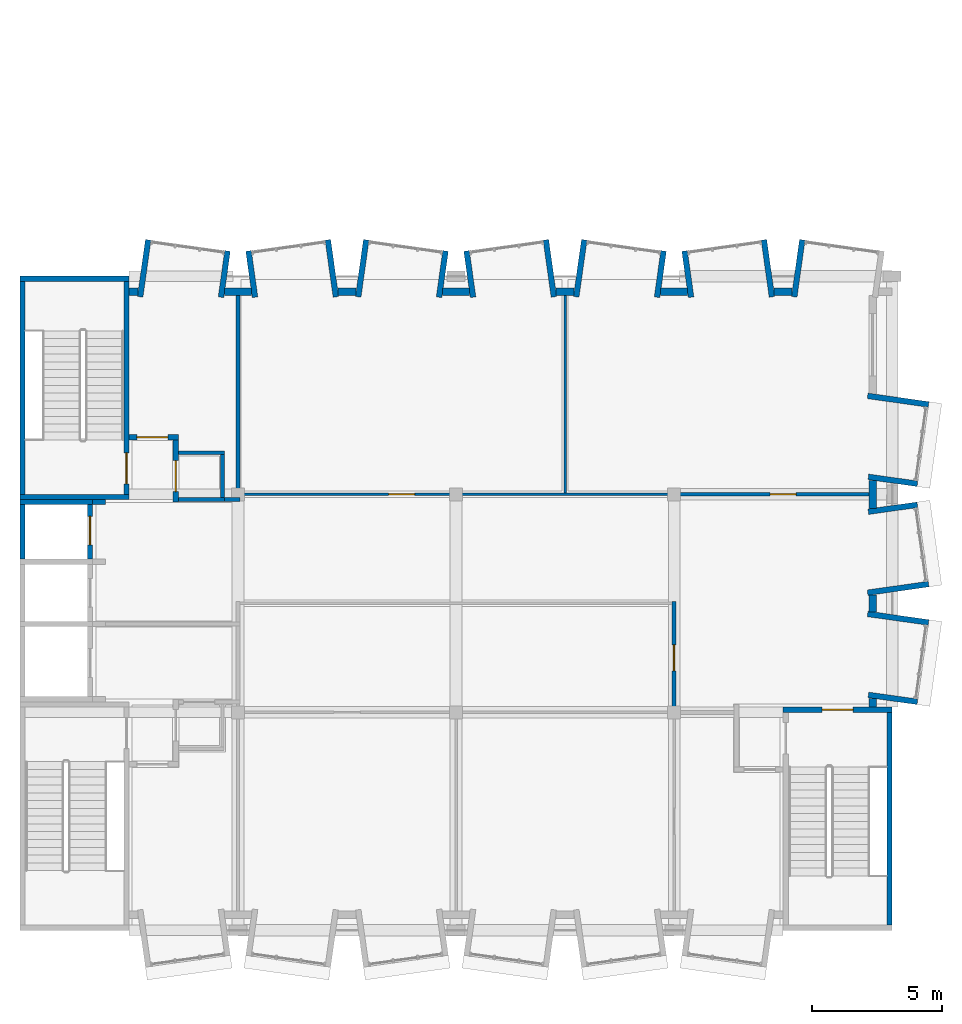
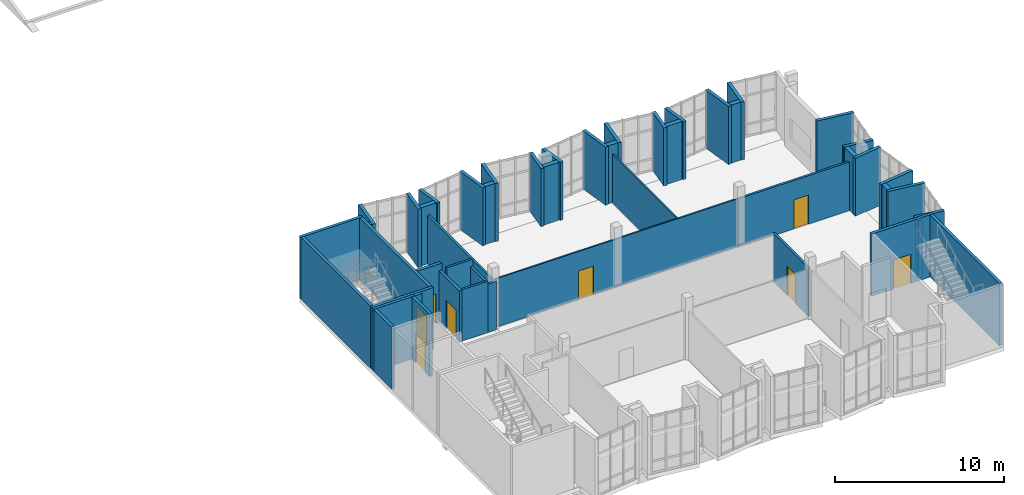
# One storey, part 12 of 18: 50 walls, 8 doors, 8 openings.
"""IFC4 building model written with IfcOpenShell, lengths in metres."""

from ifc_helpers import new_model, si_unit, direction, frame, frame_2d, origin, place, context, subcontext, project, spatial, rectangle, extrude, material, layer, layer_set, type_object, element, fill, save


model = new_model("IFC4")

# Units and contexts
model_context = context("Model", 3, precision=1e-05, world=origin(), true_north=direction((0.0, 1.0)))
body_context = subcontext(model_context, "Body", "Model", "MODEL_VIEW")
ifc_project = project(units=[si_unit("LENGTHUNIT", "METRE"), si_unit("AREAUNIT", "SQUARE_METRE"), si_unit("VOLUMEUNIT", "CUBIC_METRE"), si_unit("PLANEANGLEUNIT", "RADIAN"), si_unit("MASSUNIT", "GRAM", prefix="KILO")], contexts=[model_context])

# Site, building, storey
site_placement = place(None, origin())
site = spatial("IfcSite", under=ifc_project, at=site_placement, CompositionType="ELEMENT")
building_placement = place(site_placement, origin())
building = spatial("IfcBuilding", under=site, at=building_placement, Name="Kiln Court Media Centre", CompositionType="ELEMENT")
storey_placement = place(building_placement, frame((0.0, 0.0, 33.60009765625)))
storey = spatial("IfcBuildingStorey", under=building, at=storey_placement, Name="L07", CompositionType="ELEMENT", Elevation=33.60009765625)

# Walls
ifc_material_1 = material(Name="Concrete block masonry M10", Category="masonry")
ifc_layer_1 = layer(ifc_material_1, 0.14990234375)
ifc_layer_set_1 = layer_set([ifc_layer_1], Name="Block riser wall 150 EI 120")
wall_type_1 = type_object("IfcWallType", Name="Block riser wall 150 EI 120", PredefinedType="SOLIDWALL", material=ifc_layer_set_1)
wall_1_placement = place(storey_placement, frame((7.875, 16.60009765625, 0.0), z_axis=(0.0, 0.0, 1.0), x_axis=(1.0, 0.0, 0.0)))
element("IfcWall", 1, at=wall_1_placement, inside=storey, type_object=wall_type_1, Name="L07 block riser wall", PredefinedType="SOLIDWALL", context=body_context, shape_type="SweptSolid", body=[
    extrude(rectangle(XDim=0.60009765625, YDim=0.14990234375, at=frame_2d((0.300048828125, 0.0))), origin(), (0.0, 0.0, 1.0), 3.5),
])
wall_2_placement = place(storey_placement, frame((6.10009765625, 18.39990234375, 0.0), z_axis=(0.0, 0.0, 1.0), x_axis=(1.0, 0.0, 0.0)))
element("IfcWall", 2, at=wall_2_placement, inside=storey, type_object=wall_type_1, Name="L07 block riser wall", PredefinedType="SOLIDWALL", context=body_context, shape_type="SweptSolid", body=[
    extrude(rectangle(XDim=1.77490234375, YDim=0.14990234375, at=frame_2d((0.887451171875, 0.0))), origin(), (0.0, 0.0, 1.0), 4.199951171875),
])
wall_3_placement = place(storey_placement, frame((7.800048828125, 16.675048828125, 0.0), z_axis=(0.0, 0.0, 1.0), x_axis=(0.0, 1.0, 0.0)))
element("IfcWall", 3, at=wall_3_placement, inside=storey, type_object=wall_type_1, Name="L07 block riser wall", PredefinedType="SOLIDWALL", context=body_context, shape_type="SweptSolid", body=[
    extrude(rectangle(XDim=1.64990234375, YDim=0.14990234375, at=frame_2d((0.824951171875, 0.0))), origin(), (0.0, 0.0, 1.0), 3.699951171875),
])
wall_4_placement = place(storey_placement, frame((8.39990234375, 16.675048828125, 0.0), z_axis=(0.0, 0.0, 1.0), x_axis=(0.0, 1.0, 0.0)))
element("IfcWall", 4, at=wall_4_placement, inside=storey, type_object=wall_type_1, Name="L07 block riser wall", PredefinedType="SOLIDWALL", context=body_context, shape_type="SweptSolid", body=[
    extrude(rectangle(XDim=7.77490234375, YDim=0.14990234375, at=frame_2d((3.887451171875, 0.0))), origin(), (0.0, 0.0, 1.0), 3.5),
])

# Wall, opening, door
ifc_material_2 = material(Name="Concrete block masonry M10", Category="masonry")
ifc_layer_2 = layer(ifc_material_2, 0.199951171875)
ifc_layer_set_2 = layer_set([ifc_layer_2], Name="Block vestibule wall 200 EI 240")
wall_type_2 = type_object("IfcWallType", Name="Block vestibule wall 200 EI 240", PredefinedType="SOLIDWALL", material=ifc_layer_set_2)
wall_5_placement = place(storey_placement, frame((4.2001953125, 19.0, 0.0), z_axis=(0.0, 0.0, 1.0), x_axis=(1.0, 0.0, 0.0)))
wall_5 = element("IfcWall", 5, at=wall_5_placement, inside=storey, type_object=wall_type_2, Name="L07 block vestibule wall", PredefinedType="SOLIDWALL", context=body_context, shape_type="SweptSolid", body=[
    extrude(rectangle(XDim=1.89990234375, YDim=0.199951171875, at=frame_2d((0.949951171875, 0.0))), origin(), (0.0, 0.0, 1.0), 4.199951171875),
])
opening_1_placement = place(wall_5_placement, frame((0.2998046875, 0.0, 0.0)))
opening_1 = element("IfcOpeningElement", 6, at=opening_1_placement, cuts=wall_5, Name="Opening D7010", PredefinedType="OPENING", context=body_context, shape_type="SweptSolid", body=[
    extrude(rectangle(XDim=1.199951171875, YDim=2.10009765625, at=frame_2d((0.60009765625, 1.050048828125))), frame((0.0, 0.10986328125, 0.0), z_axis=(0.0, -1.0, 0.0), x_axis=(1.0, 0.0, 0.0)), (0.0, 0.0, 1.0), 0.219970703125),
])
ifc_material_3 = material(Name="Steel S275", Category="steel")
door_type_1 = type_object("IfcDoorType", Name="Steel vestibule door 1200 x 2100 FD180", OperationType="SINGLE_SWING_LEFT", PredefinedType="DOOR", material=ifc_material_3)
door_1_placement = place(opening_1_placement, origin())
door_1 = element("IfcDoor", 7, at=door_1_placement, inside=storey, type_object=door_type_1, Name="Cleaners' Store and Riser / Stair 2 Vestibule", OperationType="SINGLE_SWING_LEFT", OverallHeight=2.10009765625, OverallWidth=1.199951171875, PredefinedType="DOOR", context=body_context, shape_type="SweptSolid", body=[
    extrude(rectangle(XDim=1.199951171875, YDim=2.10009765625, at=frame_2d((0.60009765625, 1.050048828125))), frame((0.0, 0.02490234375, 0.0), z_axis=(0.0, -1.0, 0.0), x_axis=(1.0, 0.0, 0.0)), (0.0, 0.0, 1.0), 0.050048828125),
])
fill(opening_1, door_1)

wall_6_placement = place(storey_placement, frame((6.0, 16.5, 0.0), z_axis=(0.0, 0.0, 1.0), x_axis=(0.0, 1.0, 0.0)))
wall_6 = element("IfcWall", 8, at=wall_6_placement, inside=storey, type_object=wall_type_2, Name="L07 block vestibule wall", PredefinedType="SOLIDWALL", context=body_context, shape_type="SweptSolid", body=[
    extrude(rectangle(XDim=2.39990234375, YDim=0.199951171875, at=frame_2d((1.199951171875, 0.0))), origin(), (0.0, 0.0, 1.0), 3.699951171875),
])
opening_2_placement = place(wall_6_placement, frame((0.39990234375, 0.0, 0.0)))
opening_2 = element("IfcOpeningElement", 9, at=opening_2_placement, cuts=wall_6, Name="Opening D7011", PredefinedType="OPENING", context=body_context, shape_type="SweptSolid", body=[
    extrude(rectangle(XDim=1.199951171875, YDim=2.10009765625, at=frame_2d((0.60009765625, 1.050048828125))), frame((0.0, 0.10986328125, 0.0), z_axis=(0.0, -1.0, 0.0), x_axis=(1.0, 0.0, 0.0)), (0.0, 0.0, 1.0), 0.219970703125),
])
door_2_placement = place(opening_2_placement, origin())
door_2 = element("IfcDoor", 10, at=door_2_placement, inside=storey, type_object=door_type_1, Name="Stair 2 Vestibule / Wheelchair Refuge", OperationType="SINGLE_SWING_RIGHT", OverallHeight=2.10009765625, OverallWidth=1.199951171875, PredefinedType="DOOR", context=body_context, shape_type="SweptSolid", body=[
    extrude(rectangle(XDim=1.199951171875, YDim=2.10009765625, at=frame_2d((0.60009765625, 1.050048828125))), frame((0.0, 0.02490234375, 0.0), z_axis=(0.0, -1.0, 0.0), x_axis=(1.0, 0.0, 0.0)), (0.0, 0.0, 1.0), 0.050048828125),
])
fill(opening_2, door_2)

# Walls
ifc_material_4 = material(Name="Brick masonry facing leaf with RC backing", Category="masonry")
ifc_layer_3 = layer(ifc_material_4, 0.215087890625)
ifc_layer_set_3 = layer_set([ifc_layer_3], Name="Brick masonry bay cheek wall 215")
wall_type_3 = type_object("IfcWallType", Name="Brick masonry bay cheek wall 215", PredefinedType="SOLIDWALL", material=ifc_layer_set_3)
wall_7_placement = place(storey_placement, frame((32.68505859375, 9.07080078125, 0.0), z_axis=(0.0, 0.0, 1.0), x_axis=(0.990269539441, -0.139162635989, 0.0)))
element("IfcWall", 11, at=wall_7_placement, inside=storey, type_object=wall_type_3, Name="BAY V6A-E-L07-14 cheek L", PredefinedType="SOLIDWALL", context=body_context, shape_type="SweptSolid", body=[
    extrude(rectangle(XDim=1.906982421875, YDim=0.215087890625, at=frame_2d((0.95361328125, 0.0))), origin(), (0.0, 0.0, 1.0), 4.199951171875),
])
wall_8_placement = place(storey_placement, frame((32.655029296875, 12.1904296875, 0.0), z_axis=(0.0, 0.0, 1.0), x_axis=(0.990276315141, -0.139114412161, 0.0)))
element("IfcWall", 12, at=wall_8_placement, inside=storey, type_object=wall_type_3, Name="BAY V6A-E-L07-14 cheek R", PredefinedType="SOLIDWALL", context=body_context, shape_type="SweptSolid", body=[
    extrude(rectangle(XDim=2.370849609375, YDim=0.215087890625, at=frame_2d((1.185546875, 0.0))), origin(), (0.0, 0.0, 1.0), 4.199951171875),
])
wall_9_placement = place(storey_placement, frame((32.655029296875, 13.009521484375, 0.0), z_axis=(0.0, 0.0, 1.0), x_axis=(0.990262124675, 0.139215388641, 0.0)))
element("IfcWall", 13, at=wall_9_placement, inside=storey, type_object=wall_type_3, Name="BAY V6A-E-L07-15 cheek L", PredefinedType="SOLIDWALL", context=body_context, shape_type="SweptSolid", body=[
    extrude(rectangle(XDim=2.37109375, YDim=0.215087890625, at=frame_2d((1.185546875, 0.0))), origin(), (0.0, 0.0, 1.0), 4.199951171875),
])
for number, where, z_axis, x_axis, name in (
    (14, (32.68505859375, 16.129150390625, 0.0), (0.0, 0.0, 1.0), (0.990269539441, 0.139162635989, 0.0), "BAY V6A-E-L07-15 cheek R"),
    (15, (32.68505859375, 17.470947265625, 0.0), (0.0, 0.0, 1.0), (0.990269539441, -0.139162635989, 0.0), "BAY V6A-E-L07-16 cheek L"),
):
    element("IfcWall", number, at=place(storey_placement, frame(where, z_axis=z_axis, x_axis=x_axis)), inside=storey, type_object=wall_type_3, Name=name, PredefinedType="SOLIDWALL", context=body_context, shape_type="SweptSolid", body=[
        extrude(rectangle(XDim=1.906982421875, YDim=0.215087890625, at=frame_2d((0.95361328125, 0.0))), origin(), (0.0, 0.0, 1.0), 4.199951171875),
    ])
wall_10_placement = place(storey_placement, frame((32.655029296875, 20.590576171875, 0.0), z_axis=(0.0, 0.0, 1.0), x_axis=(0.990262124675, -0.139215388641, 0.0)))
element("IfcWall", 16, at=wall_10_placement, inside=storey, type_object=wall_type_3, Name="BAY V6A-E-L07-16 cheek R", PredefinedType="SOLIDWALL", context=body_context, shape_type="SweptSolid", body=[
    extrude(rectangle(XDim=2.37109375, YDim=0.215087890625, at=frame_2d((1.185546875, 0.0))), origin(), (0.0, 0.0, 1.0), 4.199951171875),
])
wall_11_placement = place(storey_placement, frame((4.630615234375, 24.405029296875, 0.0), z_axis=(0.0, 0.0, 1.0), x_axis=(0.139141913905, 0.990272451295, 0.0)))
element("IfcWall", 17, at=wall_11_placement, inside=storey, type_object=wall_type_3, Name="BAY V6A-N-L07-45 cheek L", PredefinedType="SOLIDWALL", context=body_context, shape_type="SweptSolid", body=[
    extrude(rectangle(XDim=2.219482421875, YDim=0.215087890625, at=frame_2d((1.10986328125, 0.0))), origin(), (0.0, 0.0, 1.0), 4.199951171875),
])
for number, where, z_axis, x_axis, name in (
    (18, (7.743896484375, 24.39111328125, 0.0), (0.0, 0.0, 1.0), (0.139161311926, 0.990269725511, 0.0), "BAY V6A-N-L07-45 cheek R"),
    (19, (9.055908203125, 24.39111328125, 0.0), (0.0, 0.0, 1.0), (-0.139161311926, 0.990269725511, 0.0), "BAY V6A-N-L07-46 cheek L"),
):
    element("IfcWall", number, at=place(storey_placement, frame(where, z_axis=z_axis, x_axis=x_axis)), inside=storey, type_object=wall_type_3, Name=name, PredefinedType="SOLIDWALL", context=body_context, shape_type="SweptSolid", body=[
        extrude(rectangle(XDim=1.800048828125, YDim=0.215087890625, at=frame_2d((0.89990234375, 0.0))), origin(), (0.0, 0.0, 1.0), 4.199951171875),
    ])
wall_12_placement = place(storey_placement, frame((12.16943359375, 24.405029296875, 0.0), z_axis=(0.0, 0.0, 1.0), x_axis=(-0.139141913905, 0.990272451295, 0.0)))
element("IfcWall", 20, at=wall_12_placement, inside=storey, type_object=wall_type_3, Name="BAY V6A-N-L07-46 cheek R", PredefinedType="SOLIDWALL", context=body_context, shape_type="SweptSolid", body=[
    extrude(rectangle(XDim=2.219482421875, YDim=0.215087890625, at=frame_2d((1.10986328125, 0.0))), origin(), (0.0, 0.0, 1.0), 4.199951171875),
])
wall_13_placement = place(storey_placement, frame((13.030517578125, 24.405029296875, 0.0), z_axis=(0.0, 0.0, 1.0), x_axis=(0.139249775508, 0.99025728981, 0.0)))
element("IfcWall", 21, at=wall_13_placement, inside=storey, type_object=wall_type_3, Name="BAY V6A-N-L07-47 cheek L", PredefinedType="SOLIDWALL", context=body_context, shape_type="SweptSolid", body=[
    extrude(rectangle(XDim=2.2197265625, YDim=0.215087890625, at=frame_2d((1.10986328125, 0.0))), origin(), (0.0, 0.0, 1.0), 4.199951171875),
])
for number, where, z_axis, x_axis, name in (
    (22, (16.14404296875, 24.39111328125, 0.0), (0.0, 0.0, 1.0), (0.139161311926, 0.990269725511, 0.0), "BAY V6A-N-L07-47 cheek R"),
    (23, (17.4560546875, 24.39111328125, 0.0), (0.0, 0.0, 1.0), (-0.139161311926, 0.990269725511, 0.0), "BAY V6A-N-L07-48 cheek L"),
):
    element("IfcWall", number, at=place(storey_placement, frame(where, z_axis=z_axis, x_axis=x_axis)), inside=storey, type_object=wall_type_3, Name=name, PredefinedType="SOLIDWALL", context=body_context, shape_type="SweptSolid", body=[
        extrude(rectangle(XDim=1.800048828125, YDim=0.215087890625, at=frame_2d((0.89990234375, 0.0))), origin(), (0.0, 0.0, 1.0), 4.199951171875),
    ])
for number, where, z_axis, x_axis, name in (
    (24, (20.5693359375, 24.405029296875, 0.0), (0.0, 0.0, 1.0), (-0.139141913905, 0.990272451295, 0.0), "BAY V6A-N-L07-48 cheek R"),
    (25, (21.4306640625, 24.405029296875, 0.0), (0.0, 0.0, 1.0), (0.139141913905, 0.990272451295, 0.0), "BAY V6A-N-L07-49 cheek L"),
):
    element("IfcWall", number, at=place(storey_placement, frame(where, z_axis=z_axis, x_axis=x_axis)), inside=storey, type_object=wall_type_3, Name=name, PredefinedType="SOLIDWALL", context=body_context, shape_type="SweptSolid", body=[
        extrude(rectangle(XDim=2.219482421875, YDim=0.215087890625, at=frame_2d((1.10986328125, 0.0))), origin(), (0.0, 0.0, 1.0), 4.199951171875),
    ])
for number, where, z_axis, x_axis, name in (
    (26, (24.5439453125, 24.39111328125, 0.0), (0.0, 0.0, 1.0), (0.139161311926, 0.990269725511, 0.0), "BAY V6A-N-L07-49 cheek R"),
    (27, (25.85595703125, 24.39111328125, 0.0), (0.0, 0.0, 1.0), (-0.139161311926, 0.990269725511, 0.0), "BAY V6A-N-L07-50 cheek L"),
):
    element("IfcWall", number, at=place(storey_placement, frame(where, z_axis=z_axis, x_axis=x_axis)), inside=storey, type_object=wall_type_3, Name=name, PredefinedType="SOLIDWALL", context=body_context, shape_type="SweptSolid", body=[
        extrude(rectangle(XDim=1.800048828125, YDim=0.215087890625, at=frame_2d((0.89990234375, 0.0))), origin(), (0.0, 0.0, 1.0), 4.199951171875),
    ])
wall_14_placement = place(storey_placement, frame((28.969482421875, 24.405029296875, 0.0), z_axis=(0.0, 0.0, 1.0), x_axis=(-0.139249775508, 0.99025728981, 0.0)))
element("IfcWall", 28, at=wall_14_placement, inside=storey, type_object=wall_type_3, Name="BAY V6A-N-L07-50 cheek R", PredefinedType="SOLIDWALL", context=body_context, shape_type="SweptSolid", body=[
    extrude(rectangle(XDim=2.2197265625, YDim=0.215087890625, at=frame_2d((1.10986328125, 0.0))), origin(), (0.0, 0.0, 1.0), 4.199951171875),
])
wall_15_placement = place(storey_placement, frame((29.83056640625, 24.405029296875, 0.0), z_axis=(0.0, 0.0, 1.0), x_axis=(0.139141913905, 0.990272451295, 0.0)))
element("IfcWall", 29, at=wall_15_placement, inside=storey, type_object=wall_type_3, Name="BAY V6A-N-L07-51 cheek L", PredefinedType="SOLIDWALL", context=body_context, shape_type="SweptSolid", body=[
    extrude(rectangle(XDim=2.219482421875, YDim=0.215087890625, at=frame_2d((1.10986328125, 0.0))), origin(), (0.0, 0.0, 1.0), 4.199951171875),
])
ifc_material_5 = material(Name="Brick masonry facing leaf with RC backing", Category="masonry")
ifc_layer_4 = layer(ifc_material_5, 0.300048828125)
ifc_layer_set_4 = layer_set([ifc_layer_4], Name="Brick masonry cavity wall 300")
wall_type_4 = type_object("IfcWallType", Name="Brick masonry cavity wall 300", PredefinedType="SOLIDWALL", material=ifc_layer_set_4)
wall_16_placement = place(storey_placement, frame((32.85009765625, 8.939208984375, 0.0), z_axis=(0.0, 0.0, 1.0), x_axis=(0.0, -1.0, 0.0)))
element("IfcWall", 30, at=wall_16_placement, inside=storey, type_object=wall_type_4, Name="V6A-E facade L07 3006", PredefinedType="SOLIDWALL", context=body_context, shape_type="SweptSolid", body=[
    extrude(rectangle(XDim=0.339111328125, YDim=0.300048828125, at=frame_2d((0.16943359375, 0.0))), origin(), (0.0, 0.0, 1.0), 4.199951171875),
])
wall_17_placement = place(storey_placement, frame((32.85009765625, 12.928466796875, 0.0), z_axis=(0.0, 0.0, 1.0), x_axis=(0.0, -1.0, 0.0)))
element("IfcWall", 31, at=wall_17_placement, inside=storey, type_object=wall_type_4, Name="V6A-E facade L07 3007", PredefinedType="SOLIDWALL", context=body_context, shape_type="SweptSolid", body=[
    extrude(rectangle(XDim=0.656982421875, YDim=0.300048828125, at=frame_2d((0.32861328125, 0.0))), origin(), (0.0, 0.0, 1.0), 4.199951171875),
])
wall_18_placement = place(storey_placement, frame((32.85009765625, 17.339111328125, 0.0), z_axis=(0.0, 0.0, 1.0), x_axis=(0.0, -1.0, 0.0)))
element("IfcWall", 32, at=wall_18_placement, inside=storey, type_object=wall_type_4, Name="V6A-E facade L07 3008", PredefinedType="SOLIDWALL", context=body_context, shape_type="SweptSolid", body=[
    extrude(rectangle(XDim=1.078369140625, YDim=0.300048828125, at=frame_2d((0.5390625, 0.0))), origin(), (0.0, 0.0, 1.0), 4.199951171875),
])
wall_19_placement = place(storey_placement, frame((4.2001953125, 24.60009765625, 0.0), z_axis=(0.0, 0.0, 1.0), x_axis=(1.0, 0.0, 0.0)))
element("IfcWall", 33, at=wall_19_placement, inside=storey, type_object=wall_type_4, Name="V6A-N facade L07 3024", PredefinedType="SOLIDWALL", context=body_context, shape_type="SweptSolid", body=[
    extrude(rectangle(XDim=0.349365234375, YDim=0.300048828125, at=frame_2d((0.1748046875, 0.0))), origin(), (0.0, 0.0, 1.0), 4.199951171875),
])
wall_20_placement = place(storey_placement, frame((7.8818359375, 24.60009765625, 0.0), z_axis=(0.0, 0.0, 1.0), x_axis=(1.0, 0.0, 0.0)))
element("IfcWall", 34, at=wall_20_placement, inside=storey, type_object=wall_type_4, Name="V6A-N facade L07 3025", PredefinedType="SOLIDWALL", context=body_context, shape_type="SweptSolid", body=[
    extrude(rectangle(XDim=1.036376953125, YDim=0.300048828125, at=frame_2d((0.51806640625, 0.0))), origin(), (0.0, 0.0, 1.0), 4.199951171875),
])
wall_21_placement = place(storey_placement, frame((12.25048828125, 24.60009765625, 0.0), z_axis=(0.0, 0.0, 1.0), x_axis=(1.0, 0.0, 0.0)))
element("IfcWall", 35, at=wall_21_placement, inside=storey, type_object=wall_type_4, Name="V6A-N facade L07 3026", PredefinedType="SOLIDWALL", context=body_context, shape_type="SweptSolid", body=[
    extrude(rectangle(XDim=0.698974609375, YDim=0.300048828125, at=frame_2d((0.349609375, 0.0))), origin(), (0.0, 0.0, 1.0), 4.199951171875),
])
wall_22_placement = place(storey_placement, frame((16.281982421875, 24.60009765625, 0.0), z_axis=(0.0, 0.0, 1.0), x_axis=(1.0, 0.0, 0.0)))
element("IfcWall", 36, at=wall_22_placement, inside=storey, type_object=wall_type_4, Name="V6A-N facade L07 3027", PredefinedType="SOLIDWALL", context=body_context, shape_type="SweptSolid", body=[
    extrude(rectangle(XDim=1.0361328125, YDim=0.300048828125, at=frame_2d((0.51806640625, 0.0))), origin(), (0.0, 0.0, 1.0), 4.199951171875),
])
wall_23_placement = place(storey_placement, frame((20.650390625, 24.60009765625, 0.0), z_axis=(0.0, 0.0, 1.0), x_axis=(1.0, 0.0, 0.0)))
element("IfcWall", 37, at=wall_23_placement, inside=storey, type_object=wall_type_4, Name="V6A-N facade L07 3028", PredefinedType="SOLIDWALL", context=body_context, shape_type="SweptSolid", body=[
    extrude(rectangle(XDim=0.69921875, YDim=0.300048828125, at=frame_2d((0.349609375, 0.0))), origin(), (0.0, 0.0, 1.0), 4.199951171875),
])
wall_24_placement = place(storey_placement, frame((24.681884765625, 24.60009765625, 0.0), z_axis=(0.0, 0.0, 1.0), x_axis=(1.0, 0.0, 0.0)))
element("IfcWall", 38, at=wall_24_placement, inside=storey, type_object=wall_type_4, Name="V6A-N facade L07 3029", PredefinedType="SOLIDWALL", context=body_context, shape_type="SweptSolid", body=[
    extrude(rectangle(XDim=1.0361328125, YDim=0.300048828125, at=frame_2d((0.51806640625, 0.0))), origin(), (0.0, 0.0, 1.0), 4.199951171875),
])
wall_25_placement = place(storey_placement, frame((29.050537109375, 24.60009765625, 0.0), z_axis=(0.0, 0.0, 1.0), x_axis=(1.0, 0.0, 0.0)))
element("IfcWall", 39, at=wall_25_placement, inside=storey, type_object=wall_type_4, Name="V6A-N facade L07 3030", PredefinedType="SOLIDWALL", context=body_context, shape_type="SweptSolid", body=[
    extrude(rectangle(XDim=0.698974609375, YDim=0.300048828125, at=frame_2d((0.349609375, 0.0))), origin(), (0.0, 0.0, 1.0), 4.199951171875),
])
ifc_material_6 = material(Name="Concrete C40/50", Category="concrete")
ifc_layer_5 = layer(ifc_material_6, 0.199951171875)
ifc_layer_set_5 = layer_set([ifc_layer_5], Name="Concrete C40/50 shear wall 200")
wall_type_5 = type_object("IfcWallType", Name="Concrete C40/50 shear wall 200", PredefinedType="SHEAR", material=ifc_layer_set_5)
for number, where, z_axis, x_axis, name in (
    (40, (4.199951171875, 16.699951171875, 0.0), (0.0, 0.0, 1.0), (-1.0, 0.0, 0.0), "L07-W-1004"),
    (41, (0.00048828125, 25.10009765625, 0.0), (0.0, 0.0, 1.0), (1.0, 0.0, 0.0), "L07-W-1005"),
):
    element("IfcWall", number, at=place(storey_placement, frame(where, z_axis=z_axis, x_axis=x_axis)), inside=storey, type_object=wall_type_5, Name=name, PredefinedType="SHEAR", context=body_context, shape_type="SweptSolid", body=[
        extrude(rectangle(XDim=4.199462890625, YDim=0.199951171875, at=frame_2d((2.099609375, 0.0))), origin(), (0.0, 0.0, 1.0), 4.5),
    ])
wall_26_placement = place(storey_placement, frame((0.100341796875, 16.800048828125, 0.0), z_axis=(0.0, 0.0, 1.0), x_axis=(0.0, 1.0, 0.0)))
element("IfcWall", 42, at=wall_26_placement, inside=storey, type_object=wall_type_5, Name="L07-W-1006", PredefinedType="SHEAR", context=body_context, shape_type="SweptSolid", body=[
    extrude(rectangle(XDim=8.199951171875, YDim=0.199951171875, at=frame_2d((4.10009765625, 0.0))), origin(), (0.0, 0.0, 1.0), 4.5),
])

# Wall, opening, door
wall_27_placement = place(storey_placement, frame((4.10009765625, 25.0, 0.0), z_axis=(0.0, 0.0, 1.0), x_axis=(0.0, -1.0, 0.0)))
wall_27 = element("IfcWall", 43, at=wall_27_placement, inside=storey, type_object=wall_type_5, Name="L07-W-1007", PredefinedType="SHEAR", context=body_context, shape_type="SweptSolid", body=[
    extrude(rectangle(XDim=8.199951171875, YDim=0.199951171875, at=frame_2d((4.10009765625, 0.0))), origin(), (0.0, 0.0, 1.0), 4.5),
])
opening_3_placement = place(wall_27_placement, frame((6.60009765625, 0.0, 0.0)))
opening_3 = element("IfcOpeningElement", 44, at=opening_3_placement, cuts=wall_27, Name="Opening D7004", PredefinedType="OPENING", context=body_context, shape_type="SweptSolid", body=[
    extrude(rectangle(XDim=1.199951171875, YDim=2.10009765625, at=frame_2d((0.60009765625, 1.050048828125))), frame((0.0, 0.10986328125, 0.0), z_axis=(0.0, -1.0, 0.0), x_axis=(1.0, 0.0, 0.0)), (0.0, 0.0, 1.0), 0.219970703125),
])
ifc_material_7 = material(Name="Steel S275", Category="steel")
door_type_2 = type_object("IfcDoorType", Name="Steel stair door 1200 x 2100 FD180", OperationType="SINGLE_SWING_LEFT", PredefinedType="DOOR", material=ifc_material_7)
door_3_placement = place(opening_3_placement, origin())
door_3 = element("IfcDoor", 45, at=door_3_placement, inside=storey, type_object=door_type_2, Name="Stair 2 / Stair 2 Vestibule", OperationType="SINGLE_SWING_RIGHT", OverallHeight=2.10009765625, OverallWidth=1.199951171875, PredefinedType="DOOR", context=body_context, shape_type="SweptSolid", body=[
    extrude(rectangle(XDim=1.199951171875, YDim=2.10009765625, at=frame_2d((0.60009765625, 1.050048828125))), frame((0.0, 0.02490234375, 0.0), z_axis=(0.0, -1.0, 0.0), x_axis=(1.0, 0.0, 0.0)), (0.0, 0.0, 1.0), 0.050048828125),
])
fill(opening_3, door_3)

wall_28_placement = place(storey_placement, frame((29.39990234375, 8.5, 0.0), z_axis=(0.0, 0.0, 1.0), x_axis=(1.0, 0.0, 0.0)))
wall_28 = element("IfcWall", 46, at=wall_28_placement, inside=storey, type_object=wall_type_5, Name="L07-W-1009", PredefinedType="SHEAR", context=body_context, shape_type="SweptSolid", body=[
    extrude(rectangle(XDim=4.2001953125, YDim=0.199951171875, at=frame_2d((2.10009765625, 0.0))), origin(), (0.0, 0.0, 1.0), 4.5),
])
opening_4_placement = place(wall_28_placement, frame((1.5, 0.0, 0.0)))
opening_4 = element("IfcOpeningElement", 47, at=opening_4_placement, cuts=wall_28, Name="Opening D7003", PredefinedType="OPENING", context=body_context, shape_type="SweptSolid", body=[
    extrude(rectangle(XDim=1.199951171875, YDim=2.10009765625, at=frame_2d((0.60009765625, 1.050048828125))), frame((0.0, 0.10986328125, 0.0), z_axis=(0.0, -1.0, 0.0), x_axis=(1.0, 0.0, 0.0)), (0.0, 0.0, 1.0), 0.219970703125),
])
door_4_placement = place(opening_4_placement, origin())
door_4 = element("IfcDoor", 48, at=door_4_placement, inside=storey, type_object=door_type_2, Name="Stair 3 / East Lobby", OperationType="SINGLE_SWING_RIGHT", OverallHeight=2.10009765625, OverallWidth=1.199951171875, PredefinedType="DOOR", context=body_context, shape_type="SweptSolid", body=[
    extrude(rectangle(XDim=1.199951171875, YDim=2.10009765625, at=frame_2d((0.60009765625, 1.050048828125))), frame((0.0, 0.02490234375, 0.0), z_axis=(0.0, -1.0, 0.0), x_axis=(1.0, 0.0, 0.0)), (0.0, 0.0, 1.0), 0.050048828125),
])
fill(opening_4, door_4)

# Walls
wall_29_placement = place(storey_placement, frame((33.5, 8.39990234375, 0.0), z_axis=(0.0, 0.0, 1.0), x_axis=(0.0, -1.0, 0.0)))
element("IfcWall", 49, at=wall_29_placement, inside=storey, type_object=wall_type_5, Name="L07-W-1011", PredefinedType="SHEAR", context=body_context, shape_type="SweptSolid", body=[
    extrude(rectangle(XDim=8.199951171875, YDim=0.199951171875, at=frame_2d((4.10009765625, 0.0))), origin(), (0.0, 0.0, 1.0), 4.5),
])
wall_30_placement = place(storey_placement, frame((0.00048828125, 16.5, 0.0), z_axis=(0.0, 0.0, 1.0), x_axis=(1.0, 0.0, 0.0)))
element("IfcWall", 50, at=wall_30_placement, inside=storey, type_object=wall_type_5, Name="L07-W-1027", PredefinedType="SHEAR", context=body_context, shape_type="SweptSolid", body=[
    extrude(rectangle(XDim=2.799560546875, YDim=0.199951171875, at=frame_2d((1.39990234375, 0.0))), origin(), (0.0, 0.0, 1.0), 4.5),
])
wall_31_placement = place(storey_placement, frame((0.100341796875, 14.300048828125, 0.0), z_axis=(0.0, 0.0, 1.0), x_axis=(0.0, 1.0, 0.0)))
element("IfcWall", 51, at=wall_31_placement, inside=storey, type_object=wall_type_5, Name="L07-W-1028", PredefinedType="SHEAR", context=body_context, shape_type="SweptSolid", body=[
    extrude(rectangle(XDim=2.099853515625, YDim=0.199951171875, at=frame_2d((1.0498046875, 0.0))), origin(), (0.0, 0.0, 1.0), 4.5),
])

# Wall, opening, door
wall_32_placement = place(storey_placement, frame((2.699951171875, 16.39990234375, 0.0), z_axis=(0.0, 0.0, 1.0), x_axis=(0.0, -1.0, 0.0)))
wall_32 = element("IfcWall", 52, at=wall_32_placement, inside=storey, type_object=wall_type_5, Name="L07-W-1029", PredefinedType="SHEAR", context=body_context, shape_type="SweptSolid", body=[
    extrude(rectangle(XDim=2.099853515625, YDim=0.199951171875, at=frame_2d((1.0498046875, 0.0))), origin(), (0.0, 0.0, 1.0), 4.5),
])
opening_5_placement = place(wall_32_placement, frame((0.449951171875, 0.0, 0.0)))
opening_5 = element("IfcOpeningElement", 53, at=opening_5_placement, cuts=wall_32, Name="Opening LD703", PredefinedType="OPENING", context=body_context, shape_type="SweptSolid", body=[
    extrude(rectangle(XDim=1.10009765625, YDim=2.10009765625, at=frame_2d((0.550048828125, 1.050048828125))), frame((0.0, 0.10986328125, 0.0), z_axis=(0.0, -1.0, 0.0), x_axis=(1.0, 0.0, 0.0)), (0.0, 0.0, 1.0), 0.219970703125),
])
ifc_material_8 = material(Name="Stainless steel", Category="steel")
door_type_3 = type_object("IfcDoorType", Name="Lift landing door 1100 x 2100 FD120", OperationType="SLIDING_TO_LEFT", PredefinedType="DOOR", material=ifc_material_8)
door_5_placement = place(opening_5_placement, origin())
door_5 = element("IfcDoor", 54, at=door_5_placement, inside=storey, type_object=door_type_3, Name="LF-03 landing door L07", OperationType="SLIDING_TO_LEFT", OverallHeight=2.10009765625, OverallWidth=1.10009765625, PredefinedType="DOOR", context=body_context, shape_type="SweptSolid", body=[
    extrude(rectangle(XDim=1.10009765625, YDim=2.10009765625, at=frame_2d((0.550048828125, 1.050048828125))), frame((0.0, 0.02490234375, 0.0), z_axis=(0.0, -1.0, 0.0), x_axis=(1.0, 0.0, 0.0)), (0.0, 0.0, 1.0), 0.050048828125),
])
fill(opening_5, door_5)

# Walls
wall_33_placement = place(storey_placement, frame((2.800048828125, 16.5, 0.0), z_axis=(0.0, 0.0, 1.0), x_axis=(1.0, 0.0, 0.0)))
element("IfcWall", 55, at=wall_33_placement, inside=storey, type_object=wall_type_5, Name="L07-W-1045", PredefinedType="SHEAR", context=body_context, shape_type="SweptSolid", body=[
    extrude(rectangle(XDim=0.5, YDim=0.199951171875, at=frame_2d((0.25, 0.0))), origin(), (0.0, 0.0, 1.0), 4.5),
])
ifc_material_9 = material(Name="Gypsum plasterboard", Category="gypsum")
ifc_layer_6 = layer(ifc_material_9, 0.14990234375)
ifc_layer_set_6 = layer_set([ifc_layer_6], Name="Gypsum corridor partition 150 EI 60")
wall_type_6 = type_object("IfcWallType", Name="Gypsum corridor partition 150 EI 60", PredefinedType="PARTITIONING", material=ifc_layer_set_6)
wall_34_placement = place(storey_placement, frame((6.10009765625, 16.60009765625, 0.0), z_axis=(0.0, 0.0, 1.0), x_axis=(1.0, 0.0, 0.0)))
element("IfcWall", 56, at=wall_34_placement, inside=storey, type_object=wall_type_6, Name="L07 gypsum corridor partition", PredefinedType="PARTITIONING", context=body_context, shape_type="SweptSolid", body=[
    extrude(rectangle(XDim=1.77490234375, YDim=0.14990234375, at=frame_2d((0.887451171875, 0.0))), origin(), (0.0, 0.0, 1.0), 3.699951171875),
])

# Wall, opening, door
wall_35_placement = place(storey_placement, frame((25.125, 16.800048828125, 0.0), z_axis=(0.0, 0.0, 1.0), x_axis=(1.0, 0.0, 0.0)))
wall_35 = element("IfcWall", 57, at=wall_35_placement, inside=storey, type_object=wall_type_6, Name="L07 gypsum corridor partition", PredefinedType="PARTITIONING", context=body_context, shape_type="SweptSolid", body=[
    extrude(rectangle(XDim=7.574951171875, YDim=0.14990234375, at=frame_2d((3.78759765625, 0.0))), origin(), (0.0, 0.0, 1.0), 3.5),
])
opening_6_placement = place(wall_35_placement, frame((3.77490234375, 0.0, 0.0)))
opening_6 = element("IfcOpeningElement", 58, at=opening_6_placement, cuts=wall_35, Name="Opening D7009", PredefinedType="OPENING", context=body_context, shape_type="SweptSolid", body=[
    extrude(rectangle(XDim=1.0, YDim=2.10009765625, at=frame_2d((0.5, 1.050048828125))), frame((0.0, 0.0849609375, 0.0), z_axis=(0.0, -1.0, 0.0), x_axis=(1.0, 0.0, 0.0)), (0.0, 0.0, 1.0), 0.169921875),
])
ifc_material_10 = material(Name="Steel S275", Category="steel")
door_type_4 = type_object("IfcDoorType", Name="Steel corridor door 1000 x 2100 FD30S", OperationType="SINGLE_SWING_LEFT", PredefinedType="DOOR", material=ifc_material_10)
door_6_placement = place(opening_6_placement, origin())
door_6 = element("IfcDoor", 59, at=door_6_placement, inside=storey, type_object=door_type_4, Name="East Lobby / Quiet Reading Pavilion", OperationType="SINGLE_SWING_LEFT", OverallHeight=2.10009765625, OverallWidth=1.0, PredefinedType="DOOR", context=body_context, shape_type="SweptSolid", body=[
    extrude(rectangle(XDim=1.0, YDim=2.10009765625, at=frame_2d((0.5, 1.050048828125))), frame((0.0, 0.02490234375, 0.0), z_axis=(0.0, -1.0, 0.0), x_axis=(1.0, 0.0, 0.0)), (0.0, 0.0, 1.0), 0.050048828125),
])
fill(opening_6, door_6)

wall_36_placement = place(storey_placement, frame((25.199951171875, 8.47509765625, 0.0), z_axis=(0.0, 0.0, 1.0), x_axis=(0.0, 1.0, 0.0)))
wall_36 = element("IfcWall", 60, at=wall_36_placement, inside=storey, type_object=wall_type_6, Name="L07 gypsum corridor partition", PredefinedType="PARTITIONING", context=body_context, shape_type="SweptSolid", body=[
    extrude(rectangle(XDim=4.199951171875, YDim=0.14990234375, at=frame_2d((2.10009765625, 0.0))), origin(), (0.0, 0.0, 1.0), 3.5),
])
opening_7_placement = place(wall_36_placement, frame((1.52490234375, 0.0, 0.0)))
opening_7 = element("IfcOpeningElement", 61, at=opening_7_placement, cuts=wall_36, Name="Opening D7008", PredefinedType="OPENING", context=body_context, shape_type="SweptSolid", body=[
    extrude(rectangle(XDim=1.0, YDim=2.10009765625, at=frame_2d((0.5, 1.050048828125))), frame((0.0, 0.0849609375, 0.0), z_axis=(0.0, -1.0, 0.0), x_axis=(1.0, 0.0, 0.0)), (0.0, 0.0, 1.0), 0.169921875),
])
door_7_placement = place(opening_7_placement, origin())
door_7 = element("IfcDoor", 62, at=door_7_placement, inside=storey, type_object=door_type_4, Name="Staff Training Hall / East Lobby", OperationType="SINGLE_SWING_RIGHT", OverallHeight=2.10009765625, OverallWidth=1.0, PredefinedType="DOOR", context=body_context, shape_type="SweptSolid", body=[
    extrude(rectangle(XDim=1.0, YDim=2.10009765625, at=frame_2d((0.5, 1.050048828125))), frame((0.0, 0.02490234375, 0.0), z_axis=(0.0, -1.0, 0.0), x_axis=(1.0, 0.0, 0.0)), (0.0, 0.0, 1.0), 0.050048828125),
])
fill(opening_7, door_7)

ifc_material_11 = material(Name="Gypsum plasterboard", Category="gypsum")
ifc_layer_7 = layer(ifc_material_11, 0.10009765625)
ifc_layer_set_7 = layer_set([ifc_layer_7], Name="Gypsum stud partition 100")
wall_type_7 = type_object("IfcWallType", Name="Gypsum stud partition 100", PredefinedType="PARTITIONING", material=ifc_layer_set_7)
wall_37_placement = place(storey_placement, frame((8.47509765625, 16.800048828125, 0.0), z_axis=(0.0, 0.0, 1.0), x_axis=(1.0, 0.0, 0.0)))
wall_37 = element("IfcWall", 63, at=wall_37_placement, inside=storey, type_object=wall_type_7, Name="L07 gypsum stud partition", PredefinedType="PARTITIONING", context=body_context, shape_type="SweptSolid", body=[
    extrude(rectangle(XDim=16.64990234375, YDim=0.10009765625, at=frame_2d((8.324951171875, 0.0))), origin(), (0.0, 0.0, 1.0), 3.5),
])
opening_8_placement = place(wall_37_placement, frame((5.72509765625, 0.0, 0.0)))
opening_8 = element("IfcOpeningElement", 64, at=opening_8_placement, cuts=wall_37, Name="Opening D7015", PredefinedType="OPENING", context=body_context, shape_type="SweptSolid", body=[
    extrude(rectangle(XDim=1.0, YDim=2.10009765625, at=frame_2d((0.5, 1.050048828125))), frame((0.0, 0.06005859375, 0.0), z_axis=(0.0, -1.0, 0.0), x_axis=(1.0, 0.0, 0.0)), (0.0, 0.0, 1.0), 0.1201171875),
])
ifc_material_12 = material(Name="Timber", Category="wood")
door_type_5 = type_object("IfcDoorType", Name="Timber door 1000 x 2100", OperationType="SINGLE_SWING_LEFT", PredefinedType="DOOR", material=ifc_material_12)
door_8_placement = place(opening_8_placement, origin())
door_8 = element("IfcDoor", 65, at=door_8_placement, inside=storey, type_object=door_type_5, Name="Staff Common Room / Media Research Library", OperationType="SINGLE_SWING_LEFT", OverallHeight=2.10009765625, OverallWidth=1.0, PredefinedType="DOOR", context=body_context, shape_type="SweptSolid", body=[
    extrude(rectangle(XDim=1.0, YDim=2.10009765625, at=frame_2d((0.5, 1.050048828125))), frame((0.0, 0.02490234375, 0.0), z_axis=(0.0, -1.0, 0.0), x_axis=(1.0, 0.0, 0.0)), (0.0, 0.0, 1.0), 0.050048828125),
])
fill(opening_8, door_8)

# Wall
wall_38_placement = place(storey_placement, frame((21.0, 16.85009765625, 0.0), z_axis=(0.0, 0.0, 1.0), x_axis=(0.0, 1.0, 0.0)))
element("IfcWall", 66, at=wall_38_placement, inside=storey, type_object=wall_type_7, Name="L07 gypsum stud partition", PredefinedType="PARTITIONING", context=body_context, shape_type="SweptSolid", body=[
    extrude(rectangle(XDim=7.599853515625, YDim=0.10009765625, at=frame_2d((3.7998046875, 0.0))), origin(), (0.0, 0.0, 1.0), 3.5),
])

save(model, "model.ifc")
